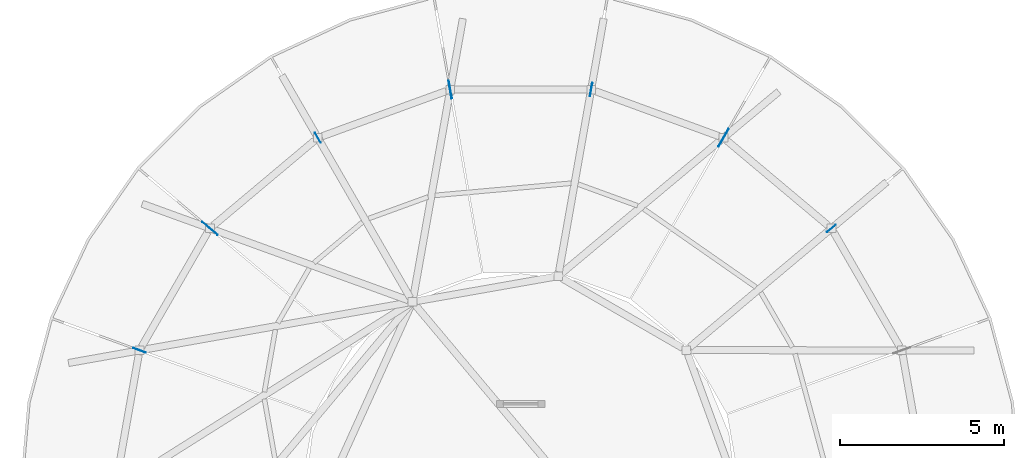
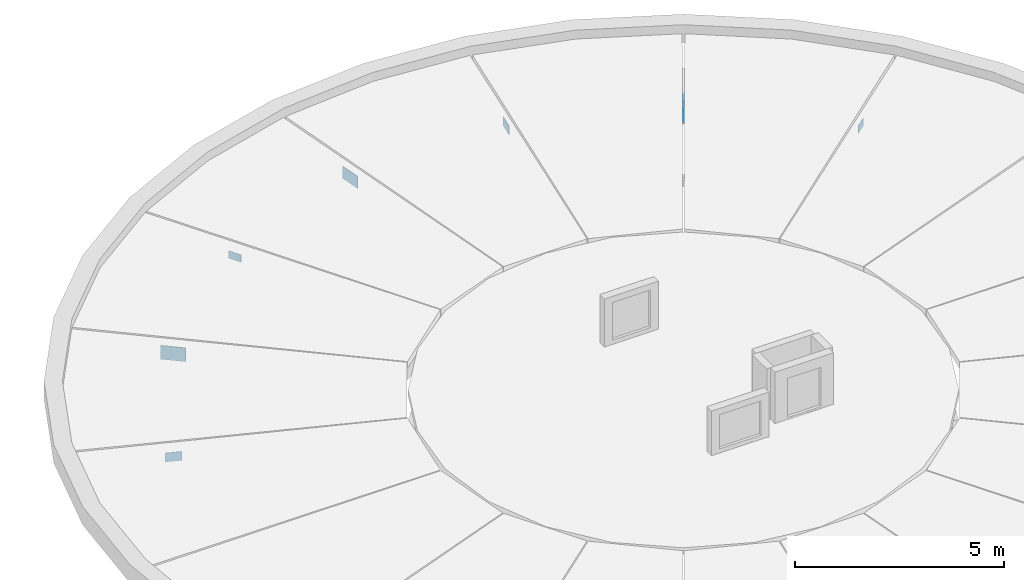
# One storey, part 6 of 14: 7 plates.
"""IFC4 building model written with IfcOpenShell, lengths in metres."""

from ifc_helpers import new_model, si_unit, direction, frame, origin, origin_2d, place, context, subcontext, project, spatial, rectangle, extrude, material, layer, layer_set, type_object, element, save


model = new_model("IFC4")

# Units and contexts
model_context = context("Model", 3, precision=1e-05, world=origin(), true_north=direction((0.0, 1.0)))
body_context = subcontext(model_context, "Body", "Model", "MODEL_VIEW")
ifc_project = project(units=[si_unit("LENGTHUNIT", "METRE"), si_unit("AREAUNIT", "SQUARE_METRE"), si_unit("VOLUMEUNIT", "CUBIC_METRE"), si_unit("PLANEANGLEUNIT", "RADIAN"), si_unit("MASSUNIT", "GRAM", prefix="KILO")], contexts=[model_context])

# Site, building, storey
site_placement = place(None, origin())
site = spatial("IfcSite", under=ifc_project, at=site_placement, CompositionType="ELEMENT")
building_placement = place(site_placement, origin())
building = spatial("IfcBuilding", under=site, at=building_placement, Name="Aldenvaro Health Centre", CompositionType="ELEMENT")
storey_placement = place(building_placement, frame((0.0, 0.0, 21.35009765625)))
storey = spatial("IfcBuildingStorey", under=building, at=storey_placement, Name="L05", CompositionType="ELEMENT", Elevation=21.35009765625)

# Plates
ifc_material = material(Name="Steel ASTM A572 Grade 50", Category="steel")
ifc_layer_1 = layer(ifc_material, 0.013916015625, Name="Steel ASTM A572 Grade 50", Category="steel")
ifc_layer_set_1 = layer_set([ifc_layer_1], Name="Steel ASTM A572 Grade 50")
plate_type_1 = type_object("IfcPlateType", Name="PLT-GUS-07", PredefinedType="SHEET", material=ifc_layer_set_1)
for number, where, z_axis, x_axis, name in (
    (1, (20.64990234375, 30.69189453125, 0.24267578125), (0.0, 0.0, 1.0), (0.173665525902, 0.984804693893, 0.0), "D5 Rafter Eave Gusset 05"),
    (2, (6.866943359375, 22.73388671875, 0.24267578125), (0.0, 0.0, 1.0), (-0.939694327372, 0.342015454484, 0.0), "D5 Rafter Eave Gusset 09"),
):
    element("IfcPlate", number, at=place(storey_placement, frame(where, z_axis=z_axis, x_axis=x_axis)), inside=storey, type_object=plate_type_1, Name=name, PredefinedType="SHEET", context=body_context, shape_type="SweptSolid", body=[
        extrude(rectangle(XDim=0.409912109375, YDim=0.013916015625, at=origin_2d()), origin(), (0.0, 0.0, 1.0), 0.260009765625),
    ])
ifc_layer_2 = layer(ifc_material, 0.01904296875, Name="Steel ASTM A572 Grade 50", Category="steel")
ifc_layer_set_2 = layer_set([ifc_layer_2], Name="Steel ASTM A572 Grade 50")
plate_type_2 = type_object("IfcPlateType", Name="PLT-GUS-08", PredefinedType="SHEET", material=ifc_layer_set_2)
plate_placement = place(storey_placement, frame((16.35009765625, 30.69189453125, 0.19775390625), z_axis=(0.0, 0.0, 1.0), x_axis=(-0.173665525902, 0.984804693893, 0.0)))
element("IfcPlate", 3, at=plate_placement, inside=storey, type_object=plate_type_2, Name="D5 Rafter Eave Gusset 06", PredefinedType="SHEET", context=body_context, shape_type="SweptSolid", body=[
    extrude(rectangle(XDim=0.550048828125, YDim=0.01904296875, at=origin_2d()), origin(), (0.0, 0.0, 1.0), 0.35009765625),
])
ifc_layer_3 = layer(ifc_material, 0.011962890625, Name="Steel ASTM A572 Grade 50", Category="steel")
ifc_layer_set_3 = layer_set([ifc_layer_3], Name="Steel ASTM A572 Grade 50")
plate_type_3 = type_object("IfcPlateType", Name="PLT-GUS-09", PredefinedType="SHEET", material=ifc_layer_set_3)
for number, where, z_axis, x_axis, name in (
    (4, (27.98388671875, 26.4580078125, 0.2626953125), (0.0, 0.0, 1.0), (0.766045274451, 0.642786618942, 0.0), "D5 Rafter Eave Gusset 03"),
    (5, (12.31005859375, 29.220947265625, 0.2626953125), (0.0, 0.0, 1.0), (-0.500013798627, 0.866017436997, 0.0), "D5 Rafter Eave Gusset 07"),
):
    element("IfcPlate", number, at=place(storey_placement, frame(where, z_axis=z_axis, x_axis=x_axis)), inside=storey, type_object=plate_type_3, Name=name, PredefinedType="SHEET", context=body_context, shape_type="SweptSolid", body=[
        extrude(rectangle(XDim=0.35009765625, YDim=0.011962890625, at=origin_2d()), origin(), (0.0, 0.0, 1.0), 0.219970703125),
    ])
ifc_layer_4 = layer(ifc_material, 0.02099609375, Name="Steel ASTM A572 Grade 50", Category="steel")
ifc_layer_set_4 = layer_set([ifc_layer_4], Name="Steel ASTM A572 Grade 50")
plate_type_4 = type_object("IfcPlateType", Name="PLT-GUS-10", PredefinedType="SHEET", material=ifc_layer_set_4)
for number, where, z_axis, x_axis, name in (
    (6, (24.68994140625, 29.220947265625, 0.1728515625), (0.0, 0.0, 1.0), (0.500013798627, 0.866017436997, 0.0), "D5 Rafter Eave Gusset 04"),
    (7, (9.01611328125, 26.4580078125, 0.1728515625), (0.0, 0.0, 1.0), (-0.766045274451, 0.642786618942, 0.0), "D5 Rafter Eave Gusset 08"),
):
    element("IfcPlate", number, at=place(storey_placement, frame(where, z_axis=z_axis, x_axis=x_axis)), inside=storey, type_object=plate_type_4, Name=name, PredefinedType="SHEET", context=body_context, shape_type="SweptSolid", body=[
        extrude(rectangle(XDim=0.610107421875, YDim=0.02099609375, at=origin_2d()), origin(), (0.0, 0.0, 1.0), 0.39990234375),
    ])

save(model, "model.ifc")
